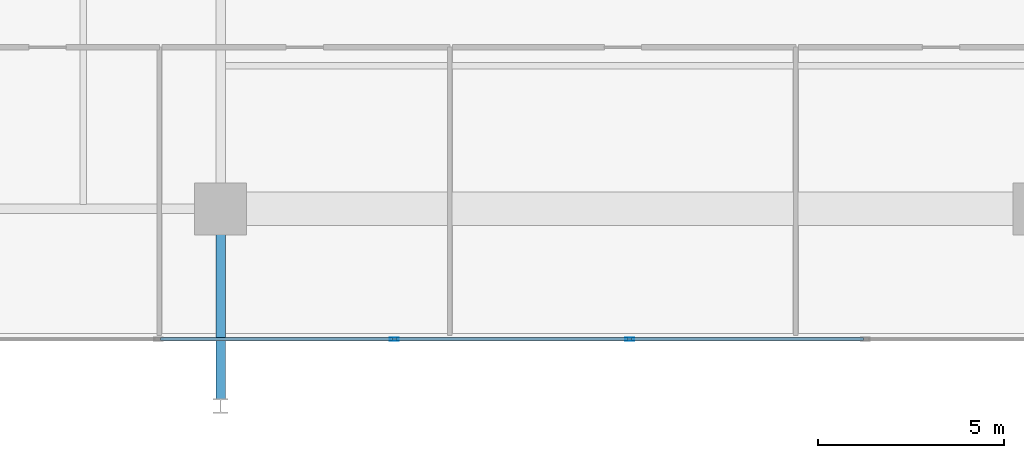
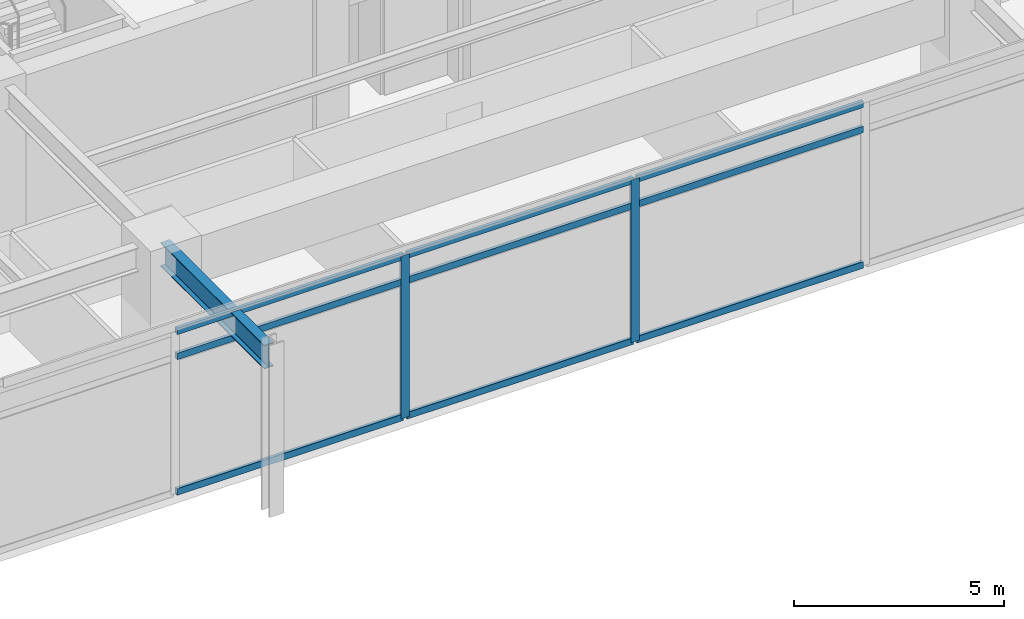
# One storey, part 3 of 19: 11 members, 1 beam, 1 element without a shape of its own.
"""IFC4 building model written with IfcOpenShell, lengths in metres."""

from ifc_helpers import new_model, si_unit, direction, frame, origin, origin_2d, place, context, subcontext, project, spatial, hollow_rectangle, i_section, extrude, material, material_profile, profile_set, type_object, element, aggregate, save


model = new_model("IFC4")

# Units and contexts
model_context = context("Model", 3, precision=1e-05, world=origin(), true_north=direction((0.0, 1.0)))
body_context = subcontext(model_context, "Body", "Model", "MODEL_VIEW")
ifc_project = project(units=[si_unit("LENGTHUNIT", "METRE"), si_unit("AREAUNIT", "SQUARE_METRE"), si_unit("VOLUMEUNIT", "CUBIC_METRE"), si_unit("PLANEANGLEUNIT", "RADIAN"), si_unit("MASSUNIT", "GRAM", prefix="KILO")], contexts=[model_context])

# Site, building, storey
site_placement = place(None, origin())
site = spatial("IfcSite", under=ifc_project, at=site_placement, CompositionType="ELEMENT")
building_placement = place(site_placement, origin())
building = spatial("IfcBuilding", under=site, at=building_placement, Name="Kovane Verandah Tower", CompositionType="ELEMENT")
storey_placement = place(building_placement, frame((0.0, 0.0, 200.199951171875)))
storey = spatial("IfcBuildingStorey", under=building, at=storey_placement, Name="L46", CompositionType="ELEMENT", Elevation=200.199951171875)

# Beam
ifc_material_1 = material(Name="Steel S355", Category="steel")
ifc_material_profile_1 = material_profile(ifc_material_1, i_section(OverallWidth=0.255859375, OverallDepth=0.69287109375, WebThickness=0.014404296875, FlangeThickness=0.023681640625, FilletRadius=0.01513671875, at=origin_2d()), Name="UB686x254x170")
ifc_profile_set_1 = profile_set([ifc_material_profile_1], Name="Steel S355")
beam_type = type_object("IfcBeamType", Name="BM-UB686x170", PredefinedType="BEAM", material=ifc_profile_set_1)
beam_placement = place(storey_placement, frame((29.0, 10.6201171875, 4.41357421875), z_axis=(0.0, -1.0, 0.0), x_axis=(1.0, 0.0, 0.0)))
element("IfcBeam", 1, at=beam_placement, inside=storey, type_object=beam_type, Name="L46 Primary Tower Girder G-VS1", PredefinedType="BEAM", context=body_context, shape_type="SweptSolid", body=[
    extrude(i_section(OverallWidth=0.255859375, OverallDepth=0.69287109375, WebThickness=0.014404296875, FlangeThickness=0.023681640625, FilletRadius=0.01513671875, at=origin_2d()), origin(), (0.0, 0.0, 1.0), 4.940185546875),
])

# Curtain wall, members
ifc_material_2 = material(Name="Champagne Anodised Aluminium Frame with Low-E Clear Laminated Glass", Category="aluminium")
curtain_wall_type = type_object("IfcCurtainWallType", Name="CW-SYS-04-WAIST", PredefinedType="NOTDEFINED", material=ifc_material_2)
curtain_wall_placement = place(storey_placement, origin())
curtain_wall = element("IfcCurtainWall", 2, at=curtain_wall_placement, inside=storey, type_object=curtain_wall_type, Name="L46 S Unitised Curtain Wall", PredefinedType="NOTDEFINED")
ifc_material_3 = material(Name="Champagne Anodised Aluminium 6063-T6", Category="aluminium")
ifc_material_profile_2 = material_profile(ifc_material_3, hollow_rectangle(XDim=0.0849609375, YDim=0.22998046875, WallThickness=0.00390625, at=origin_2d()), Name="AL85x230x4")
ifc_profile_set_2 = profile_set([ifc_material_profile_2], Name="Champagne Anodised Aluminium 6063-T6")
member_type_1 = type_object("IfcMemberType", Name="CW-MUL-85x230", PredefinedType="MULLION", material=ifc_profile_set_2)
member_1_placement = place(storey_placement, frame((33.666748046875, 7.300048828125, 0.02001953125), z_axis=(0.0, 0.0, 1.0), x_axis=(0.0, -1.0, 0.0)))
member_1 = element("IfcMember", 3, at=member_1_placement, type_object=member_type_1, Name="L46 S Unitised Curtain Wall Mullion 3", PredefinedType="MULLION", context=body_context, shape_type="SweptSolid", body=[
    extrude(hollow_rectangle(XDim=0.0849609375, YDim=0.22998046875, WallThickness=0.00390625, at=origin_2d()), origin(), (0.0, 0.0, 1.0), 4.735107421875),
])
member_2_placement = place(storey_placement, frame((40.0, 7.300048828125, 0.02001953125), z_axis=(0.0, 0.0, 1.0), x_axis=(0.0, -1.0, 0.0)))
member_2 = element("IfcMember", 4, at=member_2_placement, type_object=member_type_1, Name="L46 S Unitised Curtain Wall Mullion 4", PredefinedType="MULLION", context=body_context, shape_type="SweptSolid", body=[
    extrude(hollow_rectangle(XDim=0.0849609375, YDim=0.22998046875, WallThickness=0.00390625, at=origin_2d()), origin(), (0.0, 0.0, 1.0), 4.735107421875),
])
ifc_material_profile_3 = material_profile(ifc_material_3, hollow_rectangle(XDim=0.0849609375, YDim=0.18994140625, WallThickness=0.00390625, at=origin_2d()), Name="AL85x190x4")
ifc_profile_set_3 = profile_set([ifc_material_profile_3], Name="Champagne Anodised Aluminium 6063-T6")
member_type_2 = type_object("IfcMemberType", Name="CW-TRN-85x190", PredefinedType="USERDEFINED", material=ifc_profile_set_3)
member_3_placement = place(storey_placement, frame((27.38330078125, 7.300048828125, 0.050048828125), z_axis=(1.0, 0.0, 0.0), x_axis=(0.0, 1.0, 0.0)))
member_3 = element("IfcMember", 5, at=member_3_placement, type_object=member_type_2, Name="L46 S Unitised Curtain Wall Transom TB Bay 2", ObjectType="TRANSOM", PredefinedType="USERDEFINED", context=body_context, shape_type="SweptSolid", body=[
    extrude(hollow_rectangle(XDim=0.0849609375, YDim=0.18994140625, WallThickness=0.00390625, at=origin_2d()), origin(), (0.0, 0.0, 1.0), 6.2333984375),
])
member_4_placement = place(storey_placement, frame((27.38330078125, 7.300048828125, 3.9951171875), z_axis=(1.0, 0.0, 0.0), x_axis=(0.0, 1.0, 0.0)))
member_4 = element("IfcMember", 6, at=member_4_placement, type_object=member_type_2, Name="L46 S Unitised Curtain Wall Transom TM Bay 2", ObjectType="TRANSOM", PredefinedType="USERDEFINED", context=body_context, shape_type="SweptSolid", body=[
    extrude(hollow_rectangle(XDim=0.0849609375, YDim=0.18994140625, WallThickness=0.00390625, at=origin_2d()), origin(), (0.0, 0.0, 1.0), 6.2333984375),
])
member_5_placement = place(storey_placement, frame((27.38330078125, 7.300048828125, 4.72509765625), z_axis=(1.0, 0.0, 0.0), x_axis=(0.0, 1.0, 0.0)))
member_5 = element("IfcMember", 7, at=member_5_placement, type_object=member_type_2, Name="L46 S Unitised Curtain Wall Transom TT Bay 2", ObjectType="TRANSOM", PredefinedType="USERDEFINED", context=body_context, shape_type="SweptSolid", body=[
    extrude(hollow_rectangle(XDim=0.0849609375, YDim=0.18994140625, WallThickness=0.00390625, at=origin_2d()), origin(), (0.0, 0.0, 1.0), 6.2333984375),
])
member_6_placement = place(storey_placement, frame((33.716796875, 7.300048828125, 0.050048828125), z_axis=(1.0, 0.0, 0.0), x_axis=(0.0, 1.0, 0.0)))
member_6 = element("IfcMember", 8, at=member_6_placement, type_object=member_type_2, Name="L46 S Unitised Curtain Wall Transom TB Bay 3", ObjectType="TRANSOM", PredefinedType="USERDEFINED", context=body_context, shape_type="SweptSolid", body=[
    extrude(hollow_rectangle(XDim=0.0849609375, YDim=0.18994140625, WallThickness=0.00390625, at=origin_2d()), origin(), (0.0, 0.0, 1.0), 6.233154296875),
])
member_7_placement = place(storey_placement, frame((33.716796875, 7.300048828125, 3.9951171875), z_axis=(1.0, 0.0, 0.0), x_axis=(0.0, 1.0, 0.0)))
member_7 = element("IfcMember", 9, at=member_7_placement, type_object=member_type_2, Name="L46 S Unitised Curtain Wall Transom TM Bay 3", ObjectType="TRANSOM", PredefinedType="USERDEFINED", context=body_context, shape_type="SweptSolid", body=[
    extrude(hollow_rectangle(XDim=0.0849609375, YDim=0.18994140625, WallThickness=0.00390625, at=origin_2d()), origin(), (0.0, 0.0, 1.0), 6.233154296875),
])
member_8_placement = place(storey_placement, frame((33.716796875, 7.300048828125, 4.72509765625), z_axis=(1.0, 0.0, 0.0), x_axis=(0.0, 1.0, 0.0)))
member_8 = element("IfcMember", 10, at=member_8_placement, type_object=member_type_2, Name="L46 S Unitised Curtain Wall Transom TT Bay 3", ObjectType="TRANSOM", PredefinedType="USERDEFINED", context=body_context, shape_type="SweptSolid", body=[
    extrude(hollow_rectangle(XDim=0.0849609375, YDim=0.18994140625, WallThickness=0.00390625, at=origin_2d()), origin(), (0.0, 0.0, 1.0), 6.233154296875),
])
member_9_placement = place(storey_placement, frame((40.050048828125, 7.300048828125, 0.050048828125), z_axis=(1.0, 0.0, 0.0), x_axis=(0.0, 1.0, 0.0)))
member_9 = element("IfcMember", 11, at=member_9_placement, type_object=member_type_2, Name="L46 S Unitised Curtain Wall Transom TB Bay 4", ObjectType="TRANSOM", PredefinedType="USERDEFINED", context=body_context, shape_type="SweptSolid", body=[
    extrude(hollow_rectangle(XDim=0.0849609375, YDim=0.18994140625, WallThickness=0.00390625, at=origin_2d()), origin(), (0.0, 0.0, 1.0), 6.233154296875),
])
member_10_placement = place(storey_placement, frame((40.050048828125, 7.300048828125, 3.9951171875), z_axis=(1.0, 0.0, 0.0), x_axis=(0.0, 1.0, 0.0)))
member_10 = element("IfcMember", 12, at=member_10_placement, type_object=member_type_2, Name="L46 S Unitised Curtain Wall Transom TM Bay 4", ObjectType="TRANSOM", PredefinedType="USERDEFINED", context=body_context, shape_type="SweptSolid", body=[
    extrude(hollow_rectangle(XDim=0.0849609375, YDim=0.18994140625, WallThickness=0.00390625, at=origin_2d()), origin(), (0.0, 0.0, 1.0), 6.233154296875),
])
member_11_placement = place(storey_placement, frame((40.050048828125, 7.300048828125, 4.72509765625), z_axis=(1.0, 0.0, 0.0), x_axis=(0.0, 1.0, 0.0)))
member_11 = element("IfcMember", 13, at=member_11_placement, type_object=member_type_2, Name="L46 S Unitised Curtain Wall Transom TT Bay 4", ObjectType="TRANSOM", PredefinedType="USERDEFINED", context=body_context, shape_type="SweptSolid", body=[
    extrude(hollow_rectangle(XDim=0.0849609375, YDim=0.18994140625, WallThickness=0.00390625, at=origin_2d()), origin(), (0.0, 0.0, 1.0), 6.233154296875),
])
aggregate(curtain_wall, [member_1, member_2, member_3, member_4, member_5, member_6, member_7, member_8, member_9, member_10, member_11])

save(model, "model.ifc")
